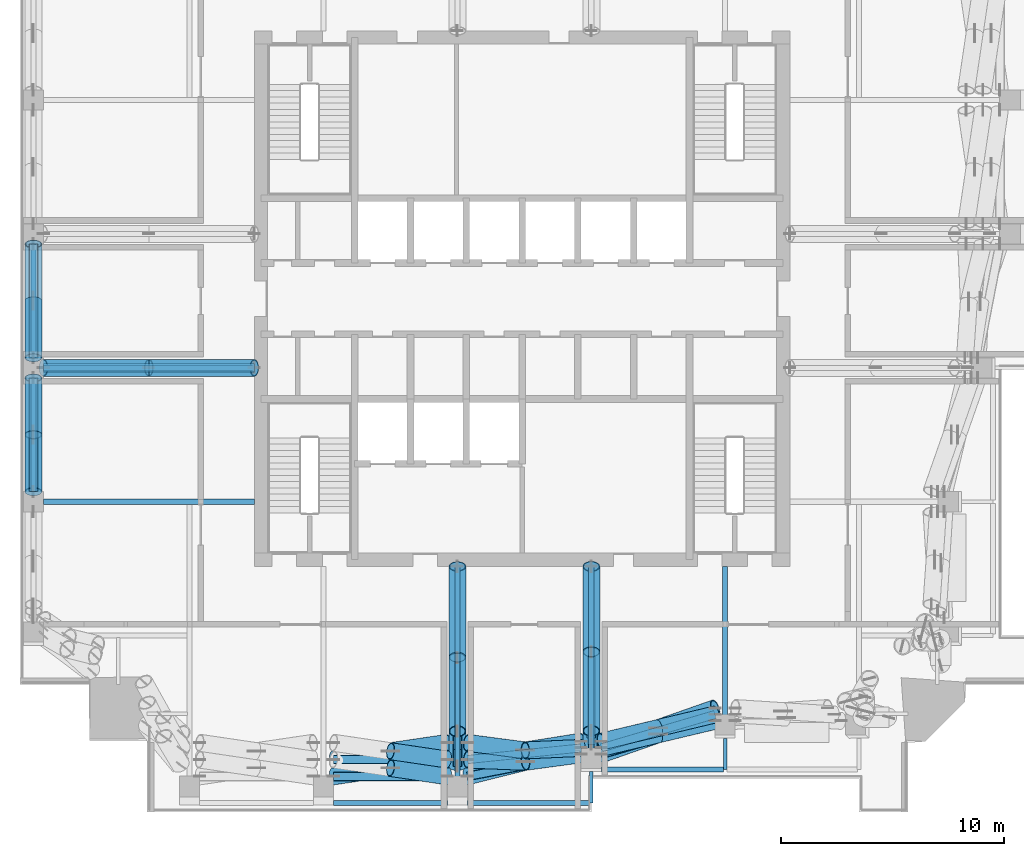
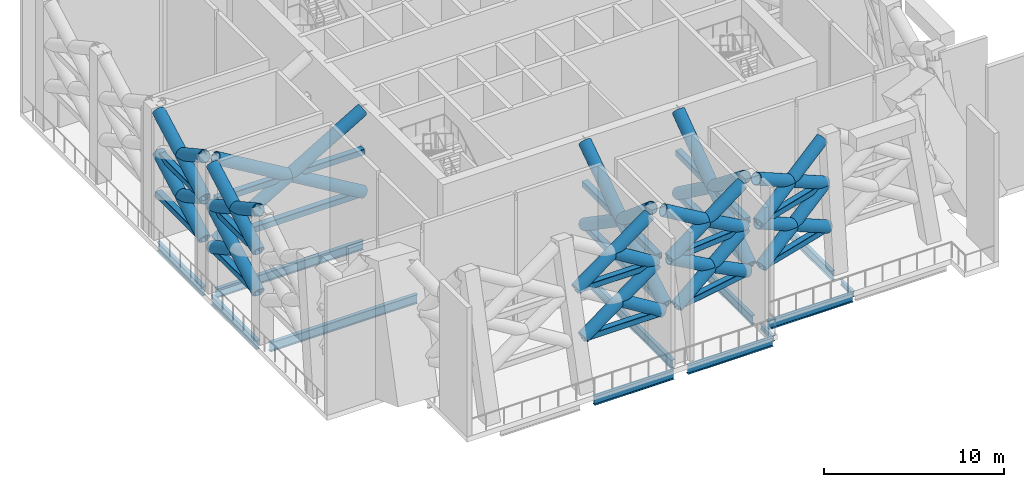
# One storey, part 2 of 18: 37 members, 28 beams.
"""IFC4 building model written with IfcOpenShell, lengths in metres."""

from ifc_helpers import new_model, si_unit, direction, frame, origin, origin_2d, place, context, subcontext, project, spatial, hollow_rectangle, hollow_circle, i_section, extrude, material, material_profile, profile_set, type_object, element, save


model = new_model("IFC4")

# Units and contexts
model_context = context("Model", 3, precision=1e-05, world=origin(), true_north=direction((0.0, 1.0)))
body_context = subcontext(model_context, "Body", "Model", "MODEL_VIEW")
ifc_project = project(units=[si_unit("LENGTHUNIT", "METRE"), si_unit("AREAUNIT", "SQUARE_METRE"), si_unit("VOLUMEUNIT", "CUBIC_METRE"), si_unit("PLANEANGLEUNIT", "RADIAN"), si_unit("MASSUNIT", "GRAM", prefix="KILO")], contexts=[model_context])

# Site, building, storey
site_placement = place(None, origin())
site = spatial("IfcSite", under=ifc_project, at=site_placement, CompositionType="ELEMENT")
building_placement = place(site_placement, origin())
building = spatial("IfcBuilding", under=site, at=building_placement, Name="Amberfall Residences", CompositionType="ELEMENT")
storey_placement = place(building_placement, frame((0.0, 0.0, 229.89990234375)))
storey = spatial("IfcBuildingStorey", under=building, at=storey_placement, Name="L62", CompositionType="ELEMENT", Elevation=229.89990234375)

# Beams
ifc_material = material(Name="Steel S355", Category="steel")
ifc_material_profile_1 = material_profile(ifc_material, hollow_rectangle(XDim=0.39990234375, YDim=0.39990234375, WallThickness=0.02001953125, InnerFilletRadius=0.02001953125, OuterFilletRadius=0.030029296875, at=origin_2d()), Name="RHS 400x400x20")
ifc_profile_set_1 = profile_set([ifc_material_profile_1], Name="Steel S355")
beam_type_1 = type_object("IfcBeamType", Name="Belt truss chord BT RHS 400x400x20", PredefinedType="BEAM", material=ifc_profile_set_1)
for number, where, z_axis, x_axis, name in (
    (1, (66.050048828125, 24.092041015625, 2.900146484375), (1.0, 0.0, 0.0), (0.0, 1.0, 0.0), "Belt truss chord BT3 L62 S2"),
    (2, (66.050048828125, 24.844482421875, 5.7001953125), (1.0, 0.0, 0.0), (0.0, 1.0, 0.0), "Belt truss chord BT3 L62 S2m"),
):
    element("IfcBeam", number, at=place(storey_placement, frame(where, z_axis=z_axis, x_axis=x_axis)), inside=storey, type_object=beam_type_1, Name=name, PredefinedType="BEAM", context=body_context, shape_type="SweptSolid", body=[
        extrude(hollow_rectangle(XDim=0.39990234375, YDim=0.39990234375, WallThickness=0.02001953125, InnerFilletRadius=0.02001953125, OuterFilletRadius=0.030029296875, at=origin_2d()), origin(), (0.0, 0.0, 1.0), 5.099853515625),
    ])
beam_1_placement = place(storey_placement, frame((72.050048828125, 24.092041015625, 2.900146484375), z_axis=(0.981788900684, 0.189975141776, 0.0), x_axis=(-0.189975141776, 0.981788900684, 0.0)))
element("IfcBeam", 3, at=beam_1_placement, inside=storey, type_object=beam_type_1, Name="Belt truss chord BT3 L62 S3", PredefinedType="BEAM", context=body_context, shape_type="SweptSolid", body=[
    extrude(hollow_rectangle(XDim=0.39990234375, YDim=0.39990234375, WallThickness=0.02001953125, InnerFilletRadius=0.02001953125, OuterFilletRadius=0.030029296875, at=origin_2d()), origin(), (0.0, 0.0, 1.0), 5.1943359375),
])
beam_2_placement = place(storey_placement, frame((72.050048828125, 24.844482421875, 5.7001953125), z_axis=(0.994807804299, 0.101771471961, 0.0), x_axis=(-0.101771471961, 0.994807804299, 0.0)))
element("IfcBeam", 4, at=beam_2_placement, inside=storey, type_object=beam_type_1, Name="Belt truss chord BT3 L62 S3m", PredefinedType="BEAM", context=body_context, shape_type="SweptSolid", body=[
    extrude(hollow_rectangle(XDim=0.39990234375, YDim=0.39990234375, WallThickness=0.02001953125, InnerFilletRadius=0.02001953125, OuterFilletRadius=0.030029296875, at=origin_2d()), origin(), (0.0, 0.0, 1.0), 5.12646484375),
])
for number, where, z_axis, x_axis, name in (
    (5, (78.050048828125, 25.078857421875, 2.900146484375), (0.959363307591, 0.282173783419, 0.0), (-0.282173783419, 0.959363307591, 0.0), "Belt truss chord BT3 L62 S4"),
    (6, (78.050048828125, 25.3662109375, 5.7001953125), (0.959363307591, 0.282173783419, 0.0), (-0.282173783419, 0.959363307591, 0.0), "Belt truss chord BT3 L62 S4m"),
):
    element("IfcBeam", number, at=place(storey_placement, frame(where, z_axis=z_axis, x_axis=x_axis)), inside=storey, type_object=beam_type_1, Name=name, PredefinedType="BEAM", context=body_context, shape_type="SweptSolid", body=[
        extrude(hollow_rectangle(XDim=0.39990234375, YDim=0.39990234375, WallThickness=0.02001953125, InnerFilletRadius=0.02001953125, OuterFilletRadius=0.030029296875, at=origin_2d()), origin(), (0.0, 0.0, 1.0), 5.31591796875),
    ])
for number, where, z_axis, x_axis, name in (
    (7, (52.60009765625, 36.85009765625, 2.900146484375), (0.0, 1.0, 0.0), (-1.0, 0.0, 0.0), "Belt truss chord BT3 L62 W2"),
    (8, (52.60009765625, 36.85009765625, 5.7001953125), (0.0, 1.0, 0.0), (-1.0, 0.0, 0.0), "Belt truss chord BT3 L62 W2m"),
    (9, (52.60009765625, 42.85009765625, 2.900146484375), (0.0, 1.0, 0.0), (-1.0, 0.0, 0.0), "Belt truss chord BT3 L62 W3"),
    (10, (52.60009765625, 42.85009765625, 5.7001953125), (0.0, 1.0, 0.0), (-1.0, 0.0, 0.0), "Belt truss chord BT3 L62 W3m"),
):
    element("IfcBeam", number, at=place(storey_placement, frame(where, z_axis=z_axis, x_axis=x_axis)), inside=storey, type_object=beam_type_1, Name=name, PredefinedType="BEAM", context=body_context, shape_type="SweptSolid", body=[
        extrude(hollow_rectangle(XDim=0.39990234375, YDim=0.39990234375, WallThickness=0.02001953125, InnerFilletRadius=0.02001953125, OuterFilletRadius=0.030029296875, at=origin_2d()), origin(), (0.0, 0.0, 1.0), 5.099853515625),
    ])

# Members
ifc_material_profile_2 = material_profile(ifc_material, hollow_circle(Radius=0.381103515625, WallThickness=0.0400390625, at=origin_2d()), Name="CHS 762x40")
ifc_profile_set_2 = profile_set([ifc_material_profile_2], Name="Steel S355")
member_type_1 = type_object("IfcMemberType", Name="Belt truss diagonal BT CHS 762x40", PredefinedType="BRACE", material=ifc_profile_set_2)
member_1_placement = place(storey_placement, frame((66.050048828125, 24.092041015625, 2.900146484375), z_axis=(0.86932895878, 0.128262331895, 0.477300676349), x_axis=(-0.145961633157, 0.989290251466, 0.0)))
element("IfcMember", 11, at=member_1_placement, inside=storey, type_object=member_type_1, Name="Belt truss diagonal BT4 L62 S2d", PredefinedType="BRACE", context=body_context, shape_type="SweptSolid", body=[
    extrude(hollow_circle(Radius=0.381103515625, WallThickness=0.0400390625, at=origin_2d()), origin(), (0.0, 0.0, 1.0), 5.866455078125),
])
member_2_placement = place(storey_placement, frame((68.60009765625, 24.46826171875, 4.300048828125), z_axis=(0.869336061497, -0.128269520372, -0.477285807796), x_axis=(0.145968472095, 0.989289242413, 0.0)))
element("IfcMember", 12, at=member_2_placement, inside=storey, type_object=member_type_1, Name="Belt truss diagonal BT4 L62 S2e2", PredefinedType="BRACE", context=body_context, shape_type="SweptSolid", body=[
    extrude(hollow_circle(Radius=0.381103515625, WallThickness=0.0400390625, at=origin_2d()), origin(), (0.0, 0.0, 1.0), 2.93310546875),
])
member_3_placement = place(storey_placement, frame((66.050048828125, 24.844482421875, 5.7001953125), z_axis=(0.869346226568, 0.128264879615, 0.477268539723), x_axis=(-0.145961633157, 0.989290251466, 0.0)))
element("IfcMember", 13, at=member_3_placement, inside=storey, type_object=member_type_1, Name="Belt truss diagonal BT4 L62 S2du", PredefinedType="BRACE", context=body_context, shape_type="SweptSolid", body=[
    extrude(hollow_circle(Radius=0.381103515625, WallThickness=0.0400390625, at=origin_2d()), origin(), (0.0, 0.0, 1.0), 5.8662109375),
])
member_4_placement = place(storey_placement, frame((68.60009765625, 25.220703125, 7.10009765625), z_axis=(0.869336061497, -0.128269520372, -0.477285807796), x_axis=(0.145968472095, 0.989289242413, 0.0)))
element("IfcMember", 14, at=member_4_placement, inside=storey, type_object=member_type_1, Name="Belt truss diagonal BT4 L62 S2e2u", PredefinedType="BRACE", context=body_context, shape_type="SweptSolid", body=[
    extrude(hollow_circle(Radius=0.381103515625, WallThickness=0.0400390625, at=origin_2d()), origin(), (0.0, 0.0, 1.0), 2.93310546875),
])
member_5_placement = place(storey_placement, frame((72.050048828125, 24.092041015625, 2.900146484375), z_axis=(0.856274674021, 0.213935445628, 0.470133287201), x_axis=(-0.242393557076, 0.970178006084, 0.0)))
element("IfcMember", 15, at=member_5_placement, inside=storey, type_object=member_type_1, Name="Belt truss diagonal BT4 L62 S3d", PredefinedType="BRACE", context=body_context, shape_type="SweptSolid", body=[
    extrude(hollow_circle(Radius=0.381103515625, WallThickness=0.0400390625, at=origin_2d()), origin(), (0.0, 0.0, 1.0), 5.955810546875),
])
member_6_placement = place(storey_placement, frame((72.050048828125, 24.844482421875, 5.7001953125), z_axis=(0.884339640379, -0.034663725589, -0.465555395826), x_axis=(0.03916722206, 0.99923266996, 0.0)))
element("IfcMember", 16, at=member_6_placement, inside=storey, type_object=member_type_1, Name="Belt truss diagonal BT4 L62 S3e", PredefinedType="BRACE", context=body_context, shape_type="SweptSolid", body=[
    extrude(hollow_circle(Radius=0.381103515625, WallThickness=0.0400390625, at=origin_2d()), origin(), (0.0, 0.0, 1.0), 2.944091796875),
])
member_7_placement = place(storey_placement, frame((74.653564453125, 24.742431640625, 4.32958984375), z_axis=(0.861924347732, 0.116159584467, -0.493551790315), x_axis=(-0.13356030012, 0.991040688484, 0.0)))
element("IfcMember", 17, at=member_7_placement, inside=storey, type_object=member_type_1, Name="Belt truss diagonal BT4 L62 S3e2", PredefinedType="BRACE", context=body_context, shape_type="SweptSolid", body=[
    extrude(hollow_circle(Radius=0.381103515625, WallThickness=0.0400390625, at=origin_2d()), origin(), (0.0, 0.0, 1.0), 2.896240234375),
])
member_8_placement = place(storey_placement, frame((72.050048828125, 24.844482421875, 5.7001953125), z_axis=(0.868236200599, 0.137702452611, 0.476659138708), x_axis=(-0.156642362419, 0.987655390455, 0.0)))
element("IfcMember", 18, at=member_8_placement, inside=storey, type_object=member_type_1, Name="Belt truss diagonal BT4 L62 S3du", PredefinedType="BRACE", context=body_context, shape_type="SweptSolid", body=[
    extrude(hollow_circle(Radius=0.381103515625, WallThickness=0.0400390625, at=origin_2d()), origin(), (0.0, 0.0, 1.0), 5.873779296875),
])
member_9_placement = place(storey_placement, frame((72.050048828125, 25.596923828125, 8.5), z_axis=(0.877604626743, -0.115296071799, -0.465313802661), x_axis=(0.130256589855, 0.991480317908, 0.0)))
element("IfcMember", 19, at=member_9_placement, inside=storey, type_object=member_type_1, Name="Belt truss diagonal BT4 L62 S3eu", PredefinedType="BRACE", context=body_context, shape_type="SweptSolid", body=[
    extrude(hollow_circle(Radius=0.381103515625, WallThickness=0.0400390625, at=origin_2d()), origin(), (0.0, 0.0, 1.0), 2.9560546875),
])
member_10_placement = place(storey_placement, frame((74.644287109375, 25.256103515625, 7.12451171875), z_axis=(0.868722770786, 0.038175384354, -0.493825260135), x_axis=(-0.043901896811, 0.999035846933, 0.0)))
element("IfcMember", 20, at=member_10_placement, inside=storey, type_object=member_type_1, Name="Belt truss diagonal BT4 L62 S3e2u", PredefinedType="BRACE", context=body_context, shape_type="SweptSolid", body=[
    extrude(hollow_circle(Radius=0.381103515625, WallThickness=0.0400390625, at=origin_2d()), origin(), (0.0, 0.0, 1.0), 2.88427734375),
])
member_11_placement = place(storey_placement, frame((78.050048828125, 25.078857421875, 2.900146484375), z_axis=(0.837919334245, 0.293666879506, 0.460055380557), x_axis=(-0.330746833491, 0.943719519845, 0.0)))
element("IfcMember", 21, at=member_11_placement, inside=storey, type_object=member_type_1, Name="Belt truss diagonal BT4 L62 S4d", PredefinedType="BRACE", context=body_context, shape_type="SweptSolid", body=[
    extrude(hollow_circle(Radius=0.381103515625, WallThickness=0.0400390625, at=origin_2d()), origin(), (0.0, 0.0, 1.0), 6.08642578125),
])
member_12_placement = place(storey_placement, frame((78.050048828125, 25.3662109375, 5.7001953125), z_axis=(0.858128704212, 0.203995555056, -0.47116975765), x_axis=(-0.231276320089, 0.972888104443, 0.0)))
element("IfcMember", 22, at=member_12_placement, inside=storey, type_object=member_type_1, Name="Belt truss diagonal BT4 L62 S4e", PredefinedType="BRACE", context=body_context, shape_type="SweptSolid", body=[
    extrude(hollow_circle(Radius=0.381103515625, WallThickness=0.0400390625, at=origin_2d()), origin(), (0.0, 0.0, 1.0), 2.9716796875),
])
member_13_placement = place(storey_placement, frame((80.60009765625, 25.972412109375, 4.300048828125), z_axis=(0.858125877229, 0.204096579762, -0.471131154733), x_axis=(-0.231385445864, 0.972862156445, 0.0)))
element("IfcMember", 23, at=member_13_placement, inside=storey, type_object=member_type_1, Name="Belt truss diagonal BT4 L62 S4e2", PredefinedType="BRACE", context=body_context, shape_type="SweptSolid", body=[
    extrude(hollow_circle(Radius=0.381103515625, WallThickness=0.0400390625, at=origin_2d()), origin(), (0.0, 0.0, 1.0), 2.971435546875),
])
member_14_placement = place(storey_placement, frame((78.050048828125, 25.3662109375, 5.7001953125), z_axis=(0.837944667716, 0.293635644008, 0.460029175612), x_axis=(-0.330706596925, 0.943733620653, 0.0)))
element("IfcMember", 24, at=member_14_placement, inside=storey, type_object=member_type_1, Name="Belt truss diagonal BT4 L62 S4du", PredefinedType="BRACE", context=body_context, shape_type="SweptSolid", body=[
    extrude(hollow_circle(Radius=0.381103515625, WallThickness=0.0400390625, at=origin_2d()), origin(), (0.0, 0.0, 1.0), 6.086181640625),
])
member_15_placement = place(storey_placement, frame((78.050048828125, 25.6533203125, 8.5), z_axis=(0.858147535138, 0.204082190262, -0.47109793839), x_axis=(-0.231364478997, 0.972867142964, 0.0)))
element("IfcMember", 25, at=member_15_placement, inside=storey, type_object=member_type_1, Name="Belt truss diagonal BT4 L62 S4eu", PredefinedType="BRACE", context=body_context, shape_type="SweptSolid", body=[
    extrude(hollow_circle(Radius=0.381103515625, WallThickness=0.0400390625, at=origin_2d()), origin(), (0.0, 0.0, 1.0), 2.9716796875),
])
member_16_placement = place(storey_placement, frame((80.60009765625, 26.259765625, 7.10009765625), z_axis=(0.858125877229, 0.204096579762, -0.471131154733), x_axis=(-0.231385445864, 0.972862156445, 0.0)))
element("IfcMember", 26, at=member_16_placement, inside=storey, type_object=member_type_1, Name="Belt truss diagonal BT4 L62 S4e2u", PredefinedType="BRACE", context=body_context, shape_type="SweptSolid", body=[
    extrude(hollow_circle(Radius=0.381103515625, WallThickness=0.0400390625, at=origin_2d()), origin(), (0.0, 0.0, 1.0), 2.971435546875),
])
member_17_placement = place(storey_placement, frame((52.60009765625, 36.85009765625, 2.900146484375), z_axis=(0.0, 0.876569178627, 0.481275882506), x_axis=(-1.0, 0.0, 0.0)))
element("IfcMember", 27, at=member_17_placement, inside=storey, type_object=member_type_1, Name="Belt truss diagonal BT4 L62 W2d", PredefinedType="BRACE", context=body_context, shape_type="SweptSolid", body=[
    extrude(hollow_circle(Radius=0.381103515625, WallThickness=0.0400390625, at=origin_2d()), origin(), (0.0, 0.0, 1.0), 5.81787109375),
])
member_18_placement = place(storey_placement, frame((52.60009765625, 39.39990234375, 4.300048828125), z_axis=(0.0, 0.876596599616, -0.481225936065), x_axis=(-1.0, 0.0, 0.0)))
element("IfcMember", 28, at=member_18_placement, inside=storey, type_object=member_type_1, Name="Belt truss diagonal BT4 L62 W2e2", PredefinedType="BRACE", context=body_context, shape_type="SweptSolid", body=[
    extrude(hollow_circle(Radius=0.381103515625, WallThickness=0.0400390625, at=origin_2d()), origin(), (0.0, 0.0, 1.0), 2.908935546875),
])
member_19_placement = place(storey_placement, frame((52.60009765625, 36.85009765625, 5.7001953125), z_axis=(0.0, 0.876586881471, 0.481243638121), x_axis=(-1.0, 0.0, 0.0)))
element("IfcMember", 29, at=member_19_placement, inside=storey, type_object=member_type_1, Name="Belt truss diagonal BT4 L62 W2du", PredefinedType="BRACE", context=body_context, shape_type="SweptSolid", body=[
    extrude(hollow_circle(Radius=0.381103515625, WallThickness=0.0400390625, at=origin_2d()), origin(), (0.0, 0.0, 1.0), 5.81787109375),
])
for number, where, z_axis, x_axis, name in (
    (30, (52.60009765625, 36.85009765625, 8.5), (0.0, 0.876577162254, -0.481261341284), (-1.0, 0.0, 0.0), "Belt truss diagonal BT4 L62 W2eu"),
    (31, (52.60009765625, 39.39990234375, 7.10009765625), (0.0, 0.876596599616, -0.481225936065), (-1.0, 0.0, 0.0), "Belt truss diagonal BT4 L62 W2e2u"),
):
    element("IfcMember", number, at=place(storey_placement, frame(where, z_axis=z_axis, x_axis=x_axis)), inside=storey, type_object=member_type_1, Name=name, PredefinedType="BRACE", context=body_context, shape_type="SweptSolid", body=[
        extrude(hollow_circle(Radius=0.381103515625, WallThickness=0.0400390625, at=origin_2d()), origin(), (0.0, 0.0, 1.0), 2.908935546875),
    ])
member_20_placement = place(storey_placement, frame((52.60009765625, 42.85009765625, 2.900146484375), z_axis=(0.0, 0.876569178627, 0.481275882506), x_axis=(-1.0, 0.0, 0.0)))
element("IfcMember", 32, at=member_20_placement, inside=storey, type_object=member_type_1, Name="Belt truss diagonal BT4 L62 W3d", PredefinedType="BRACE", context=body_context, shape_type="SweptSolid", body=[
    extrude(hollow_circle(Radius=0.381103515625, WallThickness=0.0400390625, at=origin_2d()), origin(), (0.0, 0.0, 1.0), 5.81787109375),
])
member_21_placement = place(storey_placement, frame((52.60009765625, 42.85009765625, 5.7001953125), z_axis=(0.0, 0.876541753881, -0.481325829042), x_axis=(-1.0, 0.0, 0.0)))
element("IfcMember", 33, at=member_21_placement, inside=storey, type_object=member_type_1, Name="Belt truss diagonal BT4 L62 W3e", PredefinedType="BRACE", context=body_context, shape_type="SweptSolid", body=[
    extrude(hollow_circle(Radius=0.381103515625, WallThickness=0.0400390625, at=origin_2d()), origin(), (0.0, 0.0, 1.0), 2.908935546875),
])
member_22_placement = place(storey_placement, frame((52.60009765625, 42.85009765625, 5.7001953125), z_axis=(0.0, 0.876586881471, 0.481243638121), x_axis=(-1.0, 0.0, 0.0)))
element("IfcMember", 34, at=member_22_placement, inside=storey, type_object=member_type_1, Name="Belt truss diagonal BT4 L62 W3du", PredefinedType="BRACE", context=body_context, shape_type="SweptSolid", body=[
    extrude(hollow_circle(Radius=0.381103515625, WallThickness=0.0400390625, at=origin_2d()), origin(), (0.0, 0.0, 1.0), 5.81787109375),
])
member_23_placement = place(storey_placement, frame((52.60009765625, 42.85009765625, 8.5), z_axis=(0.0, 0.876577162254, -0.481261341284), x_axis=(-1.0, 0.0, 0.0)))
element("IfcMember", 35, at=member_23_placement, inside=storey, type_object=member_type_1, Name="Belt truss diagonal BT4 L62 W3eu", PredefinedType="BRACE", context=body_context, shape_type="SweptSolid", body=[
    extrude(hollow_circle(Radius=0.381103515625, WallThickness=0.0400390625, at=origin_2d()), origin(), (0.0, 0.0, 1.0), 2.908935546875),
])

# Beams
ifc_material_profile_3 = material_profile(ifc_material, i_section(OverallWidth=0.171142578125, OverallDepth=0.351318359375, WebThickness=0.007080078125, FlangeThickness=0.009765625, FilletRadius=0.01025390625, at=origin_2d()), Name="UB 356x171x45")
ifc_profile_set_3 = profile_set([ifc_material_profile_3], Name="Steel S355")
beam_type_2 = type_object("IfcBeamType", Name="Cantilever girder UB 356x171x45", PredefinedType="BEAM", material=ifc_profile_set_3)
for number, where, z_axis, x_axis, name in (
    (36, (77.60009765625, 24.300048828125, -0.525634765625), (0.0, -1.0, 0.0), (1.0, 0.0, 0.0), "Cantilever girder B8 L62 06"),
    (37, (83.60009765625, 25.800048828125, -0.525634765625), (0.0, -1.0, 0.0), (1.0, 0.0, 0.0), "Cantilever girder B8 L62 07"),
):
    element("IfcBeam", number, at=place(storey_placement, frame(where, z_axis=z_axis, x_axis=x_axis)), inside=storey, type_object=beam_type_2, Name=name, PredefinedType="BEAM", context=body_context, shape_type="SweptSolid", body=[
        extrude(i_section(OverallWidth=0.171142578125, OverallDepth=0.351318359375, WebThickness=0.007080078125, FlangeThickness=0.009765625, FilletRadius=0.01025390625, at=origin_2d()), origin(), (0.0, 0.0, 1.0), 1.400146484375),
    ])
ifc_material_profile_4 = material_profile(ifc_material, i_section(OverallWidth=0.228271484375, OverallDepth=0.607666015625, WebThickness=0.010986328125, FlangeThickness=0.017333984375, FilletRadius=0.0126953125, at=origin_2d()), Name="UB 610x229x113")
ifc_profile_set_4 = profile_set([ifc_material_profile_4], Name="Steel S355")
beam_type_3 = type_object("IfcBeamType", Name="Edge beam UB 610x229x113", PredefinedType="SPANDREL", material=ifc_profile_set_4)
beam_3_placement = place(storey_placement, frame((66.050048828125, 22.89990234375, -0.65380859375), z_axis=(1.0, 0.0, 0.0), x_axis=(0.0, 1.0, 0.0)))
element("IfcBeam", 38, at=beam_3_placement, inside=storey, type_object=beam_type_3, Name="Edge beam B12 L62 02", PredefinedType="SPANDREL", context=body_context, shape_type="SweptSolid", body=[
    extrude(i_section(OverallWidth=0.228271484375, OverallDepth=0.607666015625, WebThickness=0.010986328125, FlangeThickness=0.017333984375, FilletRadius=0.0126953125, at=origin_2d()), origin(), (0.0, 0.0, 1.0), 5.099853515625),
])
for number, where, z_axis, x_axis, name in (
    (39, (72.050048828125, 22.89990234375, -0.65380859375), (1.0, 0.0, 0.0), (0.0, 1.0, 0.0), "Edge beam B12 L62 03"),
    (40, (78.050048828125, 24.39990234375, -0.65380859375), (1.0, 0.0, 0.0), (0.0, 1.0, 0.0), "Edge beam B12 L62 04"),
):
    element("IfcBeam", number, at=place(storey_placement, frame(where, z_axis=z_axis, x_axis=x_axis)), inside=storey, type_object=beam_type_3, Name=name, PredefinedType="SPANDREL", context=body_context, shape_type="SweptSolid", body=[
        extrude(i_section(OverallWidth=0.228271484375, OverallDepth=0.607666015625, WebThickness=0.010986328125, FlangeThickness=0.017333984375, FilletRadius=0.0126953125, at=origin_2d()), origin(), (0.0, 0.0, 1.0), 5.469970703125),
    ])
for number, where, z_axis, x_axis, name in (
    (41, (52.60009765625, 36.85009765625, -0.65380859375), (0.0, 1.0, 0.0), (-1.0, 0.0, 0.0), "Edge beam B12 L62 41"),
    (42, (52.60009765625, 42.85009765625, -0.65380859375), (0.0, 1.0, 0.0), (-1.0, 0.0, 0.0), "Edge beam B12 L62 42"),
):
    element("IfcBeam", number, at=place(storey_placement, frame(where, z_axis=z_axis, x_axis=x_axis)), inside=storey, type_object=beam_type_3, Name=name, PredefinedType="SPANDREL", context=body_context, shape_type="SweptSolid", body=[
        extrude(i_section(OverallWidth=0.228271484375, OverallDepth=0.607666015625, WebThickness=0.010986328125, FlangeThickness=0.017333984375, FilletRadius=0.0126953125, at=origin_2d()), origin(), (0.0, 0.0, 1.0), 5.099853515625),
    ])
ifc_material_profile_5 = material_profile(ifc_material, i_section(OverallWidth=0.230224609375, OverallDepth=0.6171875, WebThickness=0.01318359375, FlangeThickness=0.022216796875, FilletRadius=0.0126953125, at=origin_2d()), Name="UB 610x229x140")
ifc_profile_set_5 = profile_set([ifc_material_profile_5], Name="Steel S355")
beam_type_4 = type_object("IfcBeamType", Name="Floor girder UB 610x229x140", PredefinedType="BEAM", material=ifc_profile_set_5)
beam_4_placement = place(storey_placement, frame((71.60009765625, 23.699951171875, -0.658447265625), z_axis=(0.0, 1.0, 0.0), x_axis=(-1.0, 0.0, 0.0)))
element("IfcBeam", 43, at=beam_4_placement, inside=storey, type_object=beam_type_4, Name="Floor girder B13 L62 11", PredefinedType="BEAM", context=body_context, shape_type="SweptSolid", body=[
    extrude(i_section(OverallWidth=0.230224609375, OverallDepth=0.6171875, WebThickness=0.01318359375, FlangeThickness=0.022216796875, FilletRadius=0.0126953125, at=origin_2d()), origin(), (0.0, 0.0, 1.0), 9.800048828125),
])
beam_5_placement = place(storey_placement, frame((77.60009765625, 25.199951171875, -0.658447265625), z_axis=(0.0, 1.0, 0.0), x_axis=(-1.0, 0.0, 0.0)))
element("IfcBeam", 44, at=beam_5_placement, inside=storey, type_object=beam_type_4, Name="Floor girder B13 L62 12", PredefinedType="BEAM", context=body_context, shape_type="SweptSolid", body=[
    extrude(i_section(OverallWidth=0.230224609375, OverallDepth=0.6171875, WebThickness=0.01318359375, FlangeThickness=0.022216796875, FilletRadius=0.0126953125, at=origin_2d()), origin(), (0.0, 0.0, 1.0), 8.300048828125),
])
beam_6_placement = place(storey_placement, frame((83.60009765625, 26.699951171875, -0.658447265625), z_axis=(0.0, 1.0, 0.0), x_axis=(-1.0, 0.0, 0.0)))
element("IfcBeam", 45, at=beam_6_placement, inside=storey, type_object=beam_type_4, Name="Floor girder B13 L62 13", PredefinedType="BEAM", context=body_context, shape_type="SweptSolid", body=[
    extrude(i_section(OverallWidth=0.230224609375, OverallDepth=0.6171875, WebThickness=0.01318359375, FlangeThickness=0.022216796875, FilletRadius=0.0126953125, at=origin_2d()), origin(), (0.0, 0.0, 1.0), 6.800048828125),
])
for number, where, z_axis, x_axis, name in (
    (46, (53.050048828125, 36.39990234375, -0.658447265625), (1.0, 0.0, 0.0), (0.0, 1.0, 0.0), "Floor girder B13 L62 46"),
    (47, (53.050048828125, 42.39990234375, -0.658447265625), (1.0, 0.0, 0.0), (0.0, 1.0, 0.0), "Floor girder B13 L62 47"),
):
    element("IfcBeam", number, at=place(storey_placement, frame(where, z_axis=z_axis, x_axis=x_axis)), inside=storey, type_object=beam_type_4, Name=name, PredefinedType="BEAM", context=body_context, shape_type="SweptSolid", body=[
        extrude(i_section(OverallWidth=0.230224609375, OverallDepth=0.6171875, WebThickness=0.01318359375, FlangeThickness=0.022216796875, FilletRadius=0.0126953125, at=origin_2d()), origin(), (0.0, 0.0, 1.0), 9.449951171875),
    ])
ifc_material_profile_6 = material_profile(ifc_material, hollow_rectangle(XDim=0.39990234375, YDim=0.39990234375, WallThickness=0.02001953125, InnerFilletRadius=0.02001953125, OuterFilletRadius=0.030029296875, at=origin_2d()), Name="RHS 400x400x20")
ifc_profile_set_6 = profile_set([ifc_material_profile_6], Name="Steel S355")
beam_type_5 = type_object("IfcBeamType", Name="Outrigger truss chord OT RHS 400x400x20", PredefinedType="BEAM", material=ifc_profile_set_6)
beam_7_placement = place(storey_placement, frame((71.60009765625, 24.5419921875, 2.900146484375), z_axis=(0.0, 1.0, 0.0), x_axis=(-1.0, 0.0, 0.0)))
element("IfcBeam", 48, at=beam_7_placement, inside=storey, type_object=beam_type_5, Name="Outrigger truss chord OT2 L62 1", PredefinedType="BEAM", context=body_context, shape_type="SweptSolid", body=[
    extrude(hollow_rectangle(XDim=0.39990234375, YDim=0.39990234375, WallThickness=0.02001953125, InnerFilletRadius=0.02001953125, OuterFilletRadius=0.030029296875, at=origin_2d()), origin(), (0.0, 0.0, 1.0), 8.9580078125),
])
beam_8_placement = place(storey_placement, frame((71.60009765625, 25.29443359375, 5.7001953125), z_axis=(0.0, 1.0, 0.0), x_axis=(-1.0, 0.0, 0.0)))
element("IfcBeam", 49, at=beam_8_placement, inside=storey, type_object=beam_type_5, Name="Outrigger truss chord OT2 L62 1m", PredefinedType="BEAM", context=body_context, shape_type="SweptSolid", body=[
    extrude(hollow_rectangle(XDim=0.39990234375, YDim=0.39990234375, WallThickness=0.02001953125, InnerFilletRadius=0.02001953125, OuterFilletRadius=0.030029296875, at=origin_2d()), origin(), (0.0, 0.0, 1.0), 8.20556640625),
])
beam_9_placement = place(storey_placement, frame((77.60009765625, 25.52880859375, 2.900146484375), z_axis=(0.0, 1.0, 0.0), x_axis=(-1.0, 0.0, 0.0)))
element("IfcBeam", 50, at=beam_9_placement, inside=storey, type_object=beam_type_5, Name="Outrigger truss chord OT2 L62 2", PredefinedType="BEAM", context=body_context, shape_type="SweptSolid", body=[
    extrude(hollow_rectangle(XDim=0.39990234375, YDim=0.39990234375, WallThickness=0.02001953125, InnerFilletRadius=0.02001953125, OuterFilletRadius=0.030029296875, at=origin_2d()), origin(), (0.0, 0.0, 1.0), 7.97119140625),
])
beam_10_placement = place(storey_placement, frame((77.60009765625, 25.816162109375, 5.7001953125), z_axis=(0.0, 1.0, 0.0), x_axis=(-1.0, 0.0, 0.0)))
element("IfcBeam", 51, at=beam_10_placement, inside=storey, type_object=beam_type_5, Name="Outrigger truss chord OT2 L62 2m", PredefinedType="BEAM", context=body_context, shape_type="SweptSolid", body=[
    extrude(hollow_rectangle(XDim=0.39990234375, YDim=0.39990234375, WallThickness=0.02001953125, InnerFilletRadius=0.02001953125, OuterFilletRadius=0.030029296875, at=origin_2d()), origin(), (0.0, 0.0, 1.0), 7.683837890625),
])
for number, where, z_axis, x_axis, name in (
    (52, (53.050048828125, 42.39990234375, 2.900146484375), (1.0, 0.0, 0.0), (0.0, 1.0, 0.0), "Outrigger truss chord OT2 L62 5"),
    (53, (53.050048828125, 42.39990234375, 5.7001953125), (1.0, 0.0, 0.0), (0.0, 1.0, 0.0), "Outrigger truss chord OT2 L62 5m"),
):
    element("IfcBeam", number, at=place(storey_placement, frame(where, z_axis=z_axis, x_axis=x_axis)), inside=storey, type_object=beam_type_5, Name=name, PredefinedType="BEAM", context=body_context, shape_type="SweptSolid", body=[
        extrude(hollow_rectangle(XDim=0.39990234375, YDim=0.39990234375, WallThickness=0.02001953125, InnerFilletRadius=0.02001953125, OuterFilletRadius=0.030029296875, at=origin_2d()), origin(), (0.0, 0.0, 1.0), 9.449951171875),
    ])

# Members
ifc_material_profile_7 = material_profile(ifc_material, hollow_circle(Radius=0.381103515625, WallThickness=0.0400390625, at=origin_2d()), Name="CHS 762x40")
ifc_profile_set_7 = profile_set([ifc_material_profile_7], Name="Steel S355")
member_type_2 = type_object("IfcMemberType", Name="Outrigger truss diagonal OT CHS 762x40", PredefinedType="BRACE", material=ifc_profile_set_7)
member_24_placement = place(storey_placement, frame((71.60009765625, 24.5419921875, 2.900146484375), z_axis=(0.0, 0.867013296756, 0.498285002029), x_axis=(-1.0, 0.0, 0.0)))
element("IfcMember", 54, at=member_24_placement, inside=storey, type_object=member_type_2, Name="Outrigger truss diagonal OT3 L62 1.1", PredefinedType="BRACE", context=body_context, shape_type="SweptSolid", body=[
    extrude(hollow_circle(Radius=0.381103515625, WallThickness=0.0400390625, at=origin_2d()), origin(), (0.0, 0.0, 1.0), 5.619384765625),
])
member_25_placement = place(storey_placement, frame((71.60009765625, 29.4140625, 5.7001953125), z_axis=(0.0, 0.824892364325, -0.565289825911), x_axis=(-1.0, 0.0, 0.0)))
element("IfcMember", 55, at=member_25_placement, inside=storey, type_object=member_type_2, Name="Outrigger truss diagonal OT3 L62 1.2", PredefinedType="BRACE", context=body_context, shape_type="SweptSolid", body=[
    extrude(hollow_circle(Radius=0.381103515625, WallThickness=0.0400390625, at=origin_2d()), origin(), (0.0, 0.0, 1.0), 4.953369140625),
])
member_26_placement = place(storey_placement, frame((71.60009765625, 26.1142578125, 8.5), z_axis=(0.0, 0.762512508849, -0.646973472291), x_axis=(-1.0, 0.0, 0.0)))
element("IfcMember", 56, at=member_26_placement, inside=storey, type_object=member_type_2, Name="Outrigger truss diagonal OT3 L62 1.1u", PredefinedType="BRACE", context=body_context, shape_type="SweptSolid", body=[
    extrude(hollow_circle(Radius=0.381103515625, WallThickness=0.0400390625, at=origin_2d()), origin(), (0.0, 0.0, 1.0), 4.32763671875),
])
member_27_placement = place(storey_placement, frame((71.60009765625, 29.4140625, 5.7001953125), z_axis=(0.0, 0.824915347673, 0.565256286276), x_axis=(-1.0, 0.0, 0.0)))
element("IfcMember", 57, at=member_27_placement, inside=storey, type_object=member_type_2, Name="Outrigger truss diagonal OT3 L62 1.2u", PredefinedType="BRACE", context=body_context, shape_type="SweptSolid", body=[
    extrude(hollow_circle(Radius=0.381103515625, WallThickness=0.0400390625, at=origin_2d()), origin(), (0.0, 0.0, 1.0), 4.953125),
])
member_28_placement = place(storey_placement, frame((77.60009765625, 25.52880859375, 2.900146484375), z_axis=(0.0, 0.828065831818, 0.560630875154), x_axis=(-1.0, 0.0, 0.0)))
element("IfcMember", 58, at=member_28_placement, inside=storey, type_object=member_type_2, Name="Outrigger truss diagonal OT3 L62 2.1", PredefinedType="BRACE", context=body_context, shape_type="SweptSolid", body=[
    extrude(hollow_circle(Radius=0.381103515625, WallThickness=0.0400390625, at=origin_2d()), origin(), (0.0, 0.0, 1.0), 4.994384765625),
])
member_29_placement = place(storey_placement, frame((77.60009765625, 29.66455078125, 5.7001953125), z_axis=(0.0, 0.807669852312, -0.589634980023), x_axis=(-1.0, 0.0, 0.0)))
element("IfcMember", 59, at=member_29_placement, inside=storey, type_object=member_type_2, Name="Outrigger truss diagonal OT3 L62 2.2", PredefinedType="BRACE", context=body_context, shape_type="SweptSolid", body=[
    extrude(hollow_circle(Radius=0.381103515625, WallThickness=0.0400390625, at=origin_2d()), origin(), (0.0, 0.0, 1.0), 4.748779296875),
])
member_30_placement = place(storey_placement, frame((77.60009765625, 26.129150390625, 8.5), z_axis=(0.0, 0.783943723836, -0.620831891786), x_axis=(-1.0, 0.0, 0.0)))
element("IfcMember", 60, at=member_30_placement, inside=storey, type_object=member_type_2, Name="Outrigger truss diagonal OT3 L62 2.1u", PredefinedType="BRACE", context=body_context, shape_type="SweptSolid", body=[
    extrude(hollow_circle(Radius=0.381103515625, WallThickness=0.0400390625, at=origin_2d()), origin(), (0.0, 0.0, 1.0), 4.509765625),
])
member_31_placement = place(storey_placement, frame((77.60009765625, 29.66455078125, 5.7001953125), z_axis=(0.0, 0.807694335931, 0.589601441404), x_axis=(-1.0, 0.0, 0.0)))
element("IfcMember", 61, at=member_31_placement, inside=storey, type_object=member_type_2, Name="Outrigger truss diagonal OT3 L62 2.2u", PredefinedType="BRACE", context=body_context, shape_type="SweptSolid", body=[
    extrude(hollow_circle(Radius=0.381103515625, WallThickness=0.0400390625, at=origin_2d()), origin(), (0.0, 0.0, 1.0), 4.74853515625),
])
member_32_placement = place(storey_placement, frame((53.050048828125, 42.39990234375, 2.900146484375), z_axis=(0.860280702481, 0.0, 0.509820667429), x_axis=(0.0, 1.0, 0.0)))
element("IfcMember", 62, at=member_32_placement, inside=storey, type_object=member_type_2, Name="Outrigger truss diagonal OT3 L62 5.1", PredefinedType="BRACE", context=body_context, shape_type="SweptSolid", body=[
    extrude(hollow_circle(Radius=0.381103515625, WallThickness=0.0400390625, at=origin_2d()), origin(), (0.0, 0.0, 1.0), 5.4921875),
])
member_33_placement = place(storey_placement, frame((57.77490234375, 42.39990234375, 5.7001953125), z_axis=(0.86029225567, 0.0, -0.509801171865), x_axis=(0.0, 1.0, 0.0)))
element("IfcMember", 63, at=member_33_placement, inside=storey, type_object=member_type_2, Name="Outrigger truss diagonal OT3 L62 5.2", PredefinedType="BRACE", context=body_context, shape_type="SweptSolid", body=[
    extrude(hollow_circle(Radius=0.381103515625, WallThickness=0.0400390625, at=origin_2d()), origin(), (0.0, 0.0, 1.0), 5.492431640625),
])
for number, where, z_axis, x_axis, name in (
    (64, (53.050048828125, 42.39990234375, 8.5), (0.860300198473, 0.0, -0.509787768103), (0.0, 1.0, 0.0), "Outrigger truss diagonal OT3 L62 5.1u"),
    (65, (57.77490234375, 42.39990234375, 5.7001953125), (0.860311750432, 0.0, 0.509768272913), (0.0, 1.0, 0.0), "Outrigger truss diagonal OT3 L62 5.2u"),
):
    element("IfcMember", number, at=place(storey_placement, frame(where, z_axis=z_axis, x_axis=x_axis)), inside=storey, type_object=member_type_2, Name=name, PredefinedType="BRACE", context=body_context, shape_type="SweptSolid", body=[
        extrude(hollow_circle(Radius=0.381103515625, WallThickness=0.0400390625, at=origin_2d()), origin(), (0.0, 0.0, 1.0), 5.4921875),
    ])

save(model, "model.ifc")
